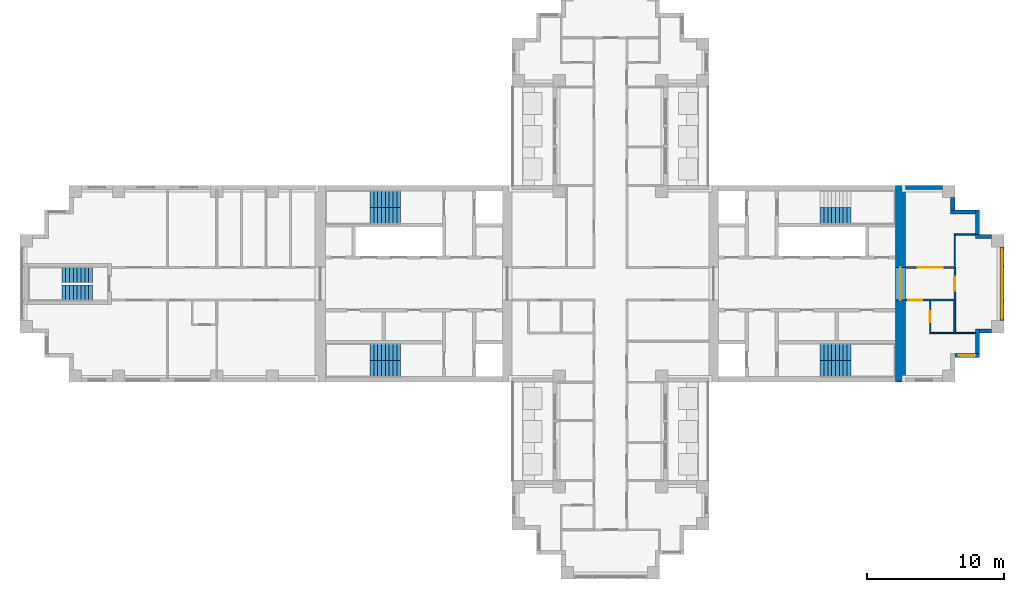
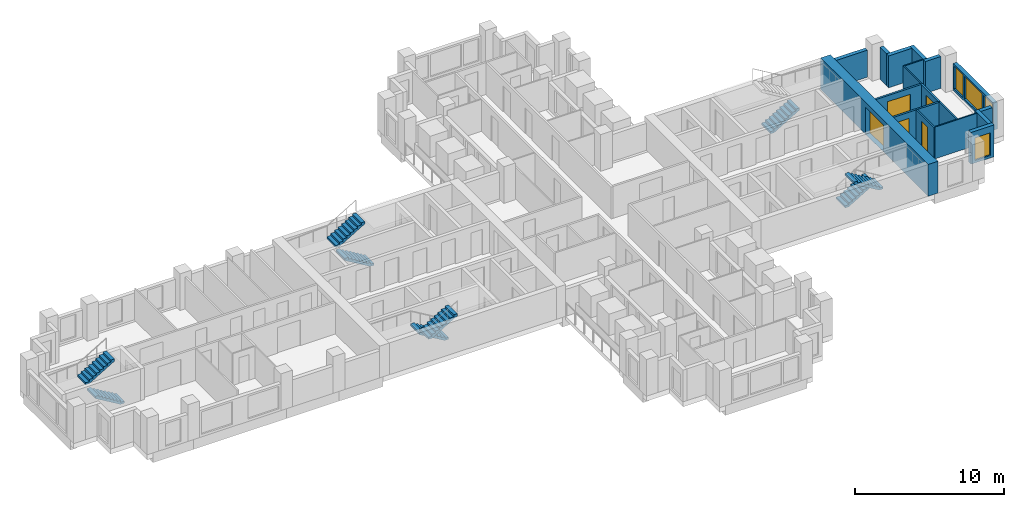
# One storey, part 8 of 11: 18 walls, 9 stair flights, 5 doors, 4 windows, 9 openings, 5 elements without a shape of their own.
"""IFC4 building model written with IfcOpenShell, lengths in metres."""

from ifc_helpers import new_model, si_unit, direction, frame, frame_2d, origin, place, context, subcontext, project, spatial, polyline, rectangle, outline, extrude, material, layer, layer_set, type_object, element, fill, aggregate, save


model = new_model("IFC4")

# Units and contexts
model_context = context("Model", 3, precision=1e-05, world=origin(), true_north=direction((0.0, 1.0)))
body_context = subcontext(model_context, "Body", "Model", "MODEL_VIEW")
ifc_project = project(units=[si_unit("LENGTHUNIT", "METRE"), si_unit("AREAUNIT", "SQUARE_METRE"), si_unit("VOLUMEUNIT", "CUBIC_METRE"), si_unit("PLANEANGLEUNIT", "RADIAN"), si_unit("MASSUNIT", "GRAM", prefix="KILO")], contexts=[model_context])

# Site, building, storey
site_placement = place(None, origin())
site = spatial("IfcSite", under=ifc_project, at=site_placement, CompositionType="ELEMENT")
building_placement = place(site_placement, origin())
building = spatial("IfcBuilding", under=site, at=building_placement, Name="Fustian Cross Tower", CompositionType="ELEMENT")
storey_placement = place(building_placement, frame((0.0, 0.0, 176.699951171875)))
storey = spatial("IfcBuildingStorey", under=building, at=storey_placement, Name="L55", CompositionType="ELEMENT", Elevation=176.699951171875)

# Wall, opening, door
ifc_material_1 = material(Name="Plasterboard on steel stud", Category="steel")
ifc_layer_1 = layer(ifc_material_1, 0.14990234375)
ifc_layer_set_1 = layer_set([ifc_layer_1], Name="Plasterboard on steel stud")
wall_type_1 = type_object("IfcWallType", Name="COMPARTMENT WALL 150 EI 60", PredefinedType="PARTITIONING", material=ifc_layer_set_1)
wall_1_placement = place(storey_placement, frame((21.60009765625, -1.199951171875, 0.0), z_axis=(0.0, 0.0, 1.0), x_axis=(1.0, 0.0, 0.0)))
wall_1 = element("IfcWall", 1, at=wall_1_placement, inside=storey, type_object=wall_type_1, Name="Partition 50", PredefinedType="PARTITIONING", context=body_context, shape_type="SweptSolid", body=[
    extrude(rectangle(XDim=3.52490234375, YDim=0.14990234375, at=frame_2d((1.762451171875, 0.0))), origin(), (0.0, 0.0, 1.0), 2.60009765625),
])
opening_1_placement = place(wall_1_placement, frame((0.199951171875, 0.0, 0.0)))
opening_1 = element("IfcOpeningElement", 2, at=opening_1_placement, cuts=wall_1, Name="Opening D25012", PredefinedType="OPENING", context=body_context, shape_type="SweptSolid", body=[
    extrude(rectangle(XDim=1.0, YDim=2.10009765625, at=frame_2d((0.5, 1.050048828125))), frame((0.0, 0.0849609375, 0.0), z_axis=(0.0, -1.0, 0.0), x_axis=(1.0, 0.0, 0.0)), (0.0, 0.0, 1.0), 0.169921875),
])
ifc_material_2 = material(Name="Timber fire door set", Category="wood")
door_type_1 = type_object("IfcDoorType", Name="FIRE SWING DOOR 1000 FD30S", OperationType="SINGLE_SWING_LEFT", PredefinedType="DOOR", material=ifc_material_2)
door_1_placement = place(opening_1_placement, frame((1.0, 0.0, 0.0), z_axis=(0.0, 0.0, 1.0), x_axis=(-1.0, 0.0, 0.0)))
door_1 = element("IfcDoor", 3, at=door_1_placement, inside=storey, type_object=door_type_1, Name="Door D25012", OperationType="SINGLE_SWING_RIGHT", OverallHeight=2.10009765625, OverallWidth=1.0, PredefinedType="DOOR", context=body_context, shape_type="SweptSolid", body=[
    extrude(rectangle(XDim=1.0, YDim=2.10009765625, at=frame_2d((0.5, 1.050048828125))), frame((0.0, 0.02490234375, 0.0), z_axis=(0.0, -1.0, 0.0), x_axis=(1.0, 0.0, 0.0)), (0.0, 0.0, 1.0), 0.050048828125),
])
fill(opening_1, door_1)

wall_2_placement = place(storey_placement, frame((21.60009765625, 1.199951171875, 0.0), z_axis=(0.0, 0.0, 1.0), x_axis=(1.0, 0.0, 0.0)))
wall_2 = element("IfcWall", 4, at=wall_2_placement, inside=storey, type_object=wall_type_1, Name="Partition 51", PredefinedType="PARTITIONING", context=body_context, shape_type="SweptSolid", body=[
    extrude(rectangle(XDim=3.52490234375, YDim=0.14990234375, at=frame_2d((1.762451171875, 0.0))), origin(), (0.0, 0.0, 1.0), 2.60009765625),
])
opening_2_placement = place(wall_2_placement, frame((0.89990234375, 0.0, 0.0)))
opening_2 = element("IfcOpeningElement", 5, at=opening_2_placement, cuts=wall_2, Name="Opening D25010", PredefinedType="OPENING", context=body_context, shape_type="SweptSolid", body=[
    extrude(rectangle(XDim=1.800048828125, YDim=2.10009765625, at=frame_2d((0.89990234375, 1.050048828125))), frame((0.0, 0.0849609375, 0.0), z_axis=(0.0, -1.0, 0.0), x_axis=(1.0, 0.0, 0.0)), (0.0, 0.0, 1.0), 0.169921875),
])
ifc_material_3 = material(Name="Timber fire door set", Category="wood")
door_type_2 = type_object("IfcDoorType", Name="FIRE DOUBLE DOOR 1800 FD30S", OperationType="DOUBLE_DOOR_DOUBLE_SWING", PredefinedType="DOOR", material=ifc_material_3)
door_2_placement = place(opening_2_placement, frame((1.800048828125, 0.0, 0.0), z_axis=(0.0, 0.0, 1.0), x_axis=(-1.0, 0.0, 0.0)))
door_2 = element("IfcDoor", 6, at=door_2_placement, inside=storey, type_object=door_type_2, Name="Door D25010", OperationType="DOUBLE_DOOR_DOUBLE_SWING", OverallHeight=2.10009765625, OverallWidth=1.800048828125, PredefinedType="DOOR", context=body_context, shape_type="SweptSolid", body=[
    extrude(rectangle(XDim=1.800048828125, YDim=2.10009765625, at=frame_2d((0.89990234375, 1.050048828125))), frame((0.0, 0.02490234375, 0.0), z_axis=(0.0, -1.0, 0.0), x_axis=(1.0, 0.0, 0.0)), (0.0, 0.0, 1.0), 0.050048828125),
])
fill(opening_2, door_2)

wall_3_placement = place(storey_placement, frame((25.199951171875, -1.199951171875, 0.0), z_axis=(0.0, 0.0, 1.0), x_axis=(0.0, 1.0, 0.0)))
wall_3 = element("IfcWall", 7, at=wall_3_placement, inside=storey, type_object=wall_type_1, Name="Partition 55", PredefinedType="PARTITIONING", context=body_context, shape_type="SweptSolid", body=[
    extrude(rectangle(XDim=2.39990234375, YDim=0.14990234375, at=frame_2d((1.199951171875, 0.0))), origin(), (0.0, 0.0, 1.0), 2.60009765625),
])
opening_3_placement = place(wall_3_placement, frame((0.699951171875, 0.0, 0.0)))
opening_3 = element("IfcOpeningElement", 8, at=opening_3_placement, cuts=wall_3, Name="Opening D25009", PredefinedType="OPENING", context=body_context, shape_type="SweptSolid", body=[
    extrude(rectangle(XDim=1.0, YDim=2.10009765625, at=frame_2d((0.5, 1.050048828125))), frame((0.0, 0.0849609375, 0.0), z_axis=(0.0, -1.0, 0.0), x_axis=(1.0, 0.0, 0.0)), (0.0, 0.0, 1.0), 0.169921875),
])
door_3_placement = place(opening_3_placement, frame((1.0, 0.0, 0.0), z_axis=(0.0, 0.0, 1.0), x_axis=(-1.0, 0.0, 0.0)))
door_3 = element("IfcDoor", 9, at=door_3_placement, inside=storey, type_object=door_type_1, Name="Door D25009", OperationType="SINGLE_SWING_RIGHT", OverallHeight=2.10009765625, OverallWidth=1.0, PredefinedType="DOOR", context=body_context, shape_type="SweptSolid", body=[
    extrude(rectangle(XDim=1.0, YDim=2.10009765625, at=frame_2d((0.5, 1.050048828125))), frame((0.0, 0.02490234375, 0.0), z_axis=(0.0, -1.0, 0.0), x_axis=(1.0, 0.0, 0.0)), (0.0, 0.0, 1.0), 0.050048828125),
])
fill(opening_3, door_3)

ifc_material_4 = material(Name="Concrete C50/60", Category="concrete")
ifc_layer_2 = layer(ifc_material_4, 0.75)
ifc_layer_set_2 = layer_set([ifc_layer_2], Name="Concrete C50/60")
wall_type_2 = type_object("IfcWallType", Name="CORE END WALL 750 C50/60", PredefinedType="SHEAR", material=ifc_layer_set_2)
wall_4_placement = place(storey_placement, frame((21.22509765625, -7.199951171875, 0.0), z_axis=(0.0, 0.0, 1.0), x_axis=(0.0, 1.0, 0.0)))
wall_4 = element("IfcWall", 10, at=wall_4_placement, inside=storey, type_object=wall_type_2, Name="Core end wall", PredefinedType="SHEAR", context=body_context, shape_type="SweptSolid", body=[
    extrude(rectangle(XDim=14.39990234375, YDim=0.75, at=frame_2d((7.199951171875, 0.0))), origin(), (0.0, 0.0, 1.0), 2.60009765625),
])
opening_4_placement = place(wall_4_placement, frame((6.0, 0.0, 0.0)))
opening_4 = element("IfcOpeningElement", 11, at=opening_4_placement, cuts=wall_4, Name="Opening CD-22-13", PredefinedType="OPENING", context=body_context, shape_type="SweptSolid", body=[
    extrude(rectangle(XDim=2.39990234375, YDim=2.199951171875, at=frame_2d((1.199951171875, 1.10009765625))), frame((0.0, 0.385009765625, 0.0), z_axis=(0.0, -1.0, 0.0), x_axis=(1.0, 0.0, 0.0)), (0.0, 0.0, 1.0), 0.77001953125),
])
ifc_material_5 = material(Name="Steel", Category="steel")
door_type_3 = type_object("IfcDoorType", Name="FIRE DOOR FD30S DOUBLE 2400X2200", OperationType="DOUBLE_DOOR_DOUBLE_SWING", PredefinedType="DOOR", material=ifc_material_5)
door_4_placement = place(opening_4_placement, origin())
door_4 = element("IfcDoor", 12, at=door_4_placement, inside=storey, type_object=door_type_3, Name="Core door CD-22-13", OperationType="DOUBLE_DOOR_DOUBLE_SWING", OverallHeight=2.199951171875, OverallWidth=2.39990234375, PredefinedType="DOOR", context=body_context, shape_type="SweptSolid", body=[
    extrude(rectangle(XDim=2.39990234375, YDim=2.199951171875, at=frame_2d((1.199951171875, 1.10009765625))), frame((0.0, 0.02490234375, 0.0), z_axis=(0.0, -1.0, 0.0), x_axis=(1.0, 0.0, 0.0)), (0.0, 0.0, 1.0), 0.050048828125),
])
fill(opening_4, door_4)

ifc_material_6 = material(Name="Plasterboard on steel stud", Category="steel")
ifc_layer_3 = layer(ifc_material_6, 0.10009765625)
ifc_layer_set_3 = layer_set([ifc_layer_3], Name="Plasterboard on steel stud")
wall_type_3 = type_object("IfcWallType", Name="PARTITION 100 STUD", PredefinedType="PARTITIONING", material=ifc_layer_set_3)
wall_5_placement = place(storey_placement, frame((23.39990234375, -3.64990234375, 0.0), z_axis=(0.0, 0.0, 1.0), x_axis=(0.0, 1.0, 0.0)))
wall_5 = element("IfcWall", 13, at=wall_5_placement, inside=storey, type_object=wall_type_3, Name="Partition 52", PredefinedType="PARTITIONING", context=body_context, shape_type="SweptSolid", body=[
    extrude(rectangle(XDim=2.375, YDim=0.10009765625, at=frame_2d((1.1875, 0.0))), origin(), (0.0, 0.0, 1.0), 2.60009765625),
])
opening_5_placement = place(wall_5_placement, frame((0.85009765625, 0.0, 0.0)))
opening_5 = element("IfcOpeningElement", 14, at=opening_5_placement, cuts=wall_5, Name="Opening D25011", PredefinedType="OPENING", context=body_context, shape_type="SweptSolid", body=[
    extrude(rectangle(XDim=0.800048828125, YDim=2.10009765625, at=frame_2d((0.39990234375, 1.050048828125))), frame((0.0, 0.06005859375, 0.0), z_axis=(0.0, -1.0, 0.0), x_axis=(1.0, 0.0, 0.0)), (0.0, 0.0, 1.0), 0.1201171875),
])
ifc_material_7 = material(Name="Painted timber", Category="wood")
door_type_4 = type_object("IfcDoorType", Name="SWING DOOR 800", OperationType="SINGLE_SWING_LEFT", PredefinedType="DOOR", material=ifc_material_7)
door_5_placement = place(opening_5_placement, frame((0.800048828125, 0.0, 0.0), z_axis=(0.0, 0.0, 1.0), x_axis=(-1.0, 0.0, 0.0)))
door_5 = element("IfcDoor", 15, at=door_5_placement, inside=storey, type_object=door_type_4, Name="Door D25011", OperationType="SINGLE_SWING_RIGHT", OverallHeight=2.10009765625, OverallWidth=0.800048828125, PredefinedType="DOOR", context=body_context, shape_type="SweptSolid", body=[
    extrude(rectangle(XDim=0.800048828125, YDim=2.10009765625, at=frame_2d((0.39990234375, 1.050048828125))), frame((0.0, 0.02490234375, 0.0), z_axis=(0.0, -1.0, 0.0), x_axis=(1.0, 0.0, 0.0)), (0.0, 0.0, 1.0), 0.050048828125),
])
fill(opening_5, door_5)

# Walls
wall_6_placement = place(storey_placement, frame((23.449951171875, -3.60009765625, 0.0), z_axis=(0.0, 0.0, 1.0), x_axis=(1.0, 0.0, 0.0)))
element("IfcWall", 16, at=wall_6_placement, inside=storey, type_object=wall_type_3, Name="Partition 53", PredefinedType="PARTITIONING", context=body_context, shape_type="SweptSolid", body=[
    extrude(rectangle(XDim=3.25, YDim=0.10009765625, at=frame_2d((1.625, 0.0))), origin(), (0.0, 0.0, 1.0), 2.60009765625),
])
wall_7_placement = place(storey_placement, frame((25.199951171875, 1.199951171875, 0.0), z_axis=(0.0, 0.0, 1.0), x_axis=(0.0, 1.0, 0.0)))
element("IfcWall", 17, at=wall_7_placement, inside=storey, type_object=wall_type_3, Name="Partition 56", PredefinedType="PARTITIONING", context=body_context, shape_type="SweptSolid", body=[
    extrude(rectangle(XDim=2.449951171875, YDim=0.10009765625, at=frame_2d((1.22509765625, 0.0))), origin(), (0.0, 0.0, 1.0), 2.60009765625),
])
wall_8_placement = place(storey_placement, frame((25.25, 3.60009765625, 0.0), z_axis=(0.0, 0.0, 1.0), x_axis=(1.0, 0.0, 0.0)))
element("IfcWall", 18, at=wall_8_placement, inside=storey, type_object=wall_type_3, Name="Partition 57", PredefinedType="PARTITIONING", context=body_context, shape_type="SweptSolid", body=[
    extrude(rectangle(XDim=1.449951171875, YDim=0.10009765625, at=frame_2d((0.72509765625, 0.0))), origin(), (0.0, 0.0, 1.0), 2.60009765625),
])
ifc_material_8 = material(Name="Plasterboard on steel stud", Category="steel")
ifc_layer_4 = layer(ifc_material_8, 0.125)
ifc_layer_set_4 = layer_set([ifc_layer_4], Name="Plasterboard on steel stud")
wall_type_4 = type_object("IfcWallType", Name="WET WALL 125 STUD", PredefinedType="PARTITIONING", material=ifc_layer_set_4)
wall_9_placement = place(storey_placement, frame((25.199951171875, -3.550048828125, 0.0), z_axis=(0.0, 0.0, 1.0), x_axis=(0.0, 1.0, 0.0)))
element("IfcWall", 19, at=wall_9_placement, inside=storey, type_object=wall_type_4, Name="Partition 54", PredefinedType="PARTITIONING", context=body_context, shape_type="SweptSolid", body=[
    extrude(rectangle(XDim=2.35009765625, YDim=0.125, at=frame_2d((1.175048828125, 0.0))), origin(), (0.0, 0.0, 1.0), 2.60009765625),
])

# Wall, opening, window
ifc_material_9 = material(Name="Dark aluminium cladding on insulated backing wall", Category="aluminium")
ifc_layer_5 = layer(ifc_material_9, 0.300048828125)
ifc_layer_set_5 = layer_set([ifc_layer_5], Name="Dark aluminium cladding on insulated backing wall")
wall_type_5 = type_object("IfcWallType", Name="XW1 EXTERNAL WALL 300", PredefinedType="SOLIDWALL", material=ifc_layer_set_5)
wall_10_placement = place(storey_placement, frame((25.199951171875, -5.25, 0.0), z_axis=(0.0, 0.0, 1.0), x_axis=(1.0, 0.0, 0.0)))
wall_10 = element("IfcWall", 20, at=wall_10_placement, inside=storey, type_object=wall_type_5, Name="External wall", PredefinedType="SOLIDWALL", context=body_context, shape_type="SweptSolid", body=[
    extrude(rectangle(XDim=1.800048828125, YDim=0.300048828125, at=frame_2d((0.89990234375, 0.0))), origin(), (0.0, 0.0, 1.0), 2.60009765625),
])
opening_6_placement = place(wall_10_placement, frame((0.300048828125, 0.0, 0.199951171875)))
opening_6 = element("IfcOpeningElement", 21, at=opening_6_placement, cuts=wall_10, Name="Opening WN3", PredefinedType="OPENING", context=body_context, shape_type="SweptSolid", body=[
    extrude(rectangle(XDim=1.199951171875, YDim=1.85009765625, at=frame_2d((0.60009765625, 0.925048828125))), frame((0.0, 0.159912109375, 0.0), z_axis=(0.0, -1.0, 0.0), x_axis=(1.0, 0.0, 0.0)), (0.0, 0.0, 1.0), 0.320068359375),
])
ifc_material_10 = material(Name="Dark anodised aluminium and double glazing", Category="aluminium")
window_type_1 = type_object("IfcWindowType", Name="WN3 WINDOW 1200X1850", PartitioningType="SINGLE_PANEL", PredefinedType="WINDOW", material=ifc_material_10)
window_1_placement = place(opening_6_placement, origin())
window_1 = element("IfcWindow", 22, at=window_1_placement, inside=storey, type_object=window_type_1, Name="Window", OverallHeight=1.85009765625, OverallWidth=1.199951171875, PartitioningType="SINGLE_PANEL", PredefinedType="WINDOW", context=body_context, shape_type="SweptSolid", body=[
    extrude(rectangle(XDim=1.199951171875, YDim=1.85009765625, at=frame_2d((0.60009765625, 0.925048828125))), frame((0.0, 0.030029296875, 0.0), z_axis=(0.0, -1.0, 0.0), x_axis=(1.0, 0.0, 0.0)), (0.0, 0.0, 1.0), 0.06005859375),
])
fill(opening_6, window_1)

# Walls
wall_11_placement = place(storey_placement, frame((26.85009765625, -5.10009765625, 0.0), z_axis=(0.0, 0.0, 1.0), x_axis=(0.0, 1.0, 0.0)))
element("IfcWall", 23, at=wall_11_placement, inside=storey, type_object=wall_type_5, Name="External wall", PredefinedType="SOLIDWALL", context=body_context, shape_type="SweptSolid", body=[
    extrude(rectangle(XDim=1.800048828125, YDim=0.300048828125, at=frame_2d((0.89990234375, 0.0))), origin(), (0.0, 0.0, 1.0), 2.60009765625),
])
wall_12_placement = place(storey_placement, frame((27.0, -3.449951171875, 0.0), z_axis=(0.0, 0.0, 1.0), x_axis=(1.0, 0.0, 0.0)))
element("IfcWall", 24, at=wall_12_placement, inside=storey, type_object=wall_type_5, Name="External wall", PredefinedType="SOLIDWALL", context=body_context, shape_type="SweptSolid", body=[
    extrude(rectangle(XDim=0.89990234375, YDim=0.300048828125, at=frame_2d((0.449951171875, 0.0))), origin(), (0.0, 0.0, 1.0), 2.60009765625),
])

# Wall, openings, windows
wall_13_placement = place(storey_placement, frame((28.64990234375, -2.699951171875, 0.0), z_axis=(0.0, 0.0, 1.0), x_axis=(0.0, 1.0, 0.0)))
wall_13 = element("IfcWall", 25, at=wall_13_placement, inside=storey, type_object=wall_type_5, Name="External wall", PredefinedType="SOLIDWALL", context=body_context, shape_type="SweptSolid", body=[
    extrude(rectangle(XDim=5.39990234375, YDim=0.300048828125, at=frame_2d((2.699951171875, 0.0))), origin(), (0.0, 0.0, 1.0), 2.199951171875),
])
opening_7_placement = place(wall_13_placement, frame((1.5, 0.0, 0.199951171875)))
opening_7 = element("IfcOpeningElement", 26, at=opening_7_placement, cuts=wall_13, Name="Opening WN1", PredefinedType="OPENING", context=body_context, shape_type="SweptSolid", body=[
    extrude(rectangle(XDim=2.39990234375, YDim=1.85009765625, at=frame_2d((1.199951171875, 0.925048828125))), frame((0.0, 0.159912109375, 0.0), z_axis=(0.0, -1.0, 0.0), x_axis=(1.0, 0.0, 0.0)), (0.0, 0.0, 1.0), 0.320068359375),
])
opening_8_placement = place(wall_13_placement, frame((0.14990234375, 0.0, 0.199951171875)))
opening_8 = element("IfcOpeningElement", 27, at=opening_8_placement, cuts=wall_13, Name="Opening WN3", PredefinedType="OPENING", context=body_context, shape_type="SweptSolid", body=[
    extrude(rectangle(XDim=1.199951171875, YDim=1.85009765625, at=frame_2d((0.60009765625, 0.925048828125))), frame((0.0, 0.159912109375, 0.0), z_axis=(0.0, -1.0, 0.0), x_axis=(1.0, 0.0, 0.0)), (0.0, 0.0, 1.0), 0.320068359375),
])
opening_9_placement = place(wall_13_placement, frame((4.050048828125, 0.0, 0.199951171875)))
opening_9 = element("IfcOpeningElement", 28, at=opening_9_placement, cuts=wall_13, Name="Opening WN3", PredefinedType="OPENING", context=body_context, shape_type="SweptSolid", body=[
    extrude(rectangle(XDim=1.199951171875, YDim=1.85009765625, at=frame_2d((0.60009765625, 0.925048828125))), frame((0.0, 0.159912109375, 0.0), z_axis=(0.0, -1.0, 0.0), x_axis=(1.0, 0.0, 0.0)), (0.0, 0.0, 1.0), 0.320068359375),
])
ifc_material_11 = material(Name="Dark anodised aluminium and double glazing", Category="aluminium")
window_type_2 = type_object("IfcWindowType", Name="WN1 WINDOW 2400X1850", PartitioningType="SINGLE_PANEL", PredefinedType="WINDOW", material=ifc_material_11)
window_2_placement = place(opening_7_placement, origin())
window_2 = element("IfcWindow", 29, at=window_2_placement, inside=storey, type_object=window_type_2, Name="Window", OverallHeight=1.85009765625, OverallWidth=2.39990234375, PartitioningType="SINGLE_PANEL", PredefinedType="WINDOW", context=body_context, shape_type="SweptSolid", body=[
    extrude(rectangle(XDim=2.39990234375, YDim=1.85009765625, at=frame_2d((1.199951171875, 0.925048828125))), frame((0.0, 0.030029296875, 0.0), z_axis=(0.0, -1.0, 0.0), x_axis=(1.0, 0.0, 0.0)), (0.0, 0.0, 1.0), 0.06005859375),
])
fill(opening_7, window_2)
window_3_placement = place(opening_8_placement, origin())
window_3 = element("IfcWindow", 30, at=window_3_placement, inside=storey, type_object=window_type_1, Name="Window", OverallHeight=1.85009765625, OverallWidth=1.199951171875, PartitioningType="SINGLE_PANEL", PredefinedType="WINDOW", context=body_context, shape_type="SweptSolid", body=[
    extrude(rectangle(XDim=1.199951171875, YDim=1.85009765625, at=frame_2d((0.60009765625, 0.925048828125))), frame((0.0, 0.030029296875, 0.0), z_axis=(0.0, -1.0, 0.0), x_axis=(1.0, 0.0, 0.0)), (0.0, 0.0, 1.0), 0.06005859375),
])
fill(opening_8, window_3)
window_4_placement = place(opening_9_placement, origin())
window_4 = element("IfcWindow", 31, at=window_4_placement, inside=storey, type_object=window_type_1, Name="Window", OverallHeight=1.85009765625, OverallWidth=1.199951171875, PartitioningType="SINGLE_PANEL", PredefinedType="WINDOW", context=body_context, shape_type="SweptSolid", body=[
    extrude(rectangle(XDim=1.199951171875, YDim=1.85009765625, at=frame_2d((0.60009765625, 0.925048828125))), frame((0.0, 0.030029296875, 0.0), z_axis=(0.0, -1.0, 0.0), x_axis=(1.0, 0.0, 0.0)), (0.0, 0.0, 1.0), 0.06005859375),
])
fill(opening_9, window_4)

# Walls
wall_14_placement = place(storey_placement, frame((27.89990234375, 3.449951171875, 0.0), z_axis=(0.0, 0.0, 1.0), x_axis=(-1.0, 0.0, 0.0)))
element("IfcWall", 32, at=wall_14_placement, inside=storey, type_object=wall_type_5, Name="External wall", PredefinedType="SOLIDWALL", context=body_context, shape_type="SweptSolid", body=[
    extrude(rectangle(XDim=1.199951171875, YDim=0.300048828125, at=frame_2d((0.60009765625, 0.0))), origin(), (0.0, 0.0, 1.0), 2.60009765625),
])
wall_15_placement = place(storey_placement, frame((26.85009765625, 3.60009765625, 0.0), z_axis=(0.0, 0.0, 1.0), x_axis=(0.0, 1.0, 0.0)))
element("IfcWall", 33, at=wall_15_placement, inside=storey, type_object=wall_type_5, Name="External wall", PredefinedType="SOLIDWALL", context=body_context, shape_type="SweptSolid", body=[
    extrude(rectangle(XDim=1.7998046875, YDim=0.300048828125, at=frame_2d((0.89990234375, 0.0))), origin(), (0.0, 0.0, 1.0), 2.60009765625),
])
wall_16_placement = place(storey_placement, frame((26.699951171875, 5.25, 0.0), z_axis=(0.0, 0.0, 1.0), x_axis=(-1.0, 0.0, 0.0)))
element("IfcWall", 34, at=wall_16_placement, inside=storey, type_object=wall_type_5, Name="External wall", PredefinedType="SOLIDWALL", context=body_context, shape_type="SweptSolid", body=[
    extrude(rectangle(XDim=1.800048828125, YDim=0.300048828125, at=frame_2d((0.89990234375, 0.0))), origin(), (0.0, 0.0, 1.0), 2.60009765625),
])
wall_17_placement = place(storey_placement, frame((25.050048828125, 5.39990234375, 0.0), z_axis=(0.0, 0.0, 1.0), x_axis=(0.0, 1.0, 0.0)))
element("IfcWall", 35, at=wall_17_placement, inside=storey, type_object=wall_type_5, Name="External wall", PredefinedType="SOLIDWALL", context=body_context, shape_type="SweptSolid", body=[
    extrude(rectangle(XDim=0.900146484375, YDim=0.300048828125, at=frame_2d((0.4501953125, 0.0))), origin(), (0.0, 0.0, 1.0), 2.60009765625),
])
wall_18_placement = place(storey_placement, frame((24.300048828125, 7.050048828125, 0.0), z_axis=(0.0, 0.0, 1.0), x_axis=(-1.0, 0.0, 0.0)))
element("IfcWall", 36, at=wall_18_placement, inside=storey, type_object=wall_type_5, Name="External wall", PredefinedType="SOLIDWALL", context=body_context, shape_type="SweptSolid", body=[
    extrude(rectangle(XDim=2.699951171875, YDim=0.300048828125, at=frame_2d((1.35009765625, 0.0))), origin(), (0.0, 0.0, 1.0), 2.199951171875),
])

# Stair, stair flights
ifc_material_12 = material(Name="Concrete C50/60", Category="concrete")
stair_type_1 = type_object("IfcStairType", Name="STAIR 1100 HALF TURN", PredefinedType="HALF_TURN_STAIR", material=ifc_material_12)
stair_1_placement = place(storey_placement, origin())
stair_1 = element("IfcStair", 37, at=stair_1_placement, inside=storey, type_object=stair_type_1, Name="Stair ST9", PredefinedType="HALF_TURN_STAIR")
ifc_material_13 = material(Name="Concrete C50/60", Category="concrete")
stair_flight_type_1 = type_object("IfcStairFlightType", Name="STAIR FLIGHT 1100", PredefinedType="STRAIGHT", material=ifc_material_13)
stair_flight_1_placement = place(storey_placement, frame((-37.89990234375, -0.64990234375, 0.0), z_axis=(0.0, 0.0, 1.0), x_axis=(-1.0, 0.0, 0.0)))
stair_flight_1 = element("IfcStairFlight", 38, at=stair_flight_1_placement, type_object=stair_flight_type_1, Name="ST9 flight 1", NumberOfRisers=9, NumberOfTreads=8, PredefinedType="STRAIGHT", RiserHeight=0.166666667, TreadLength=0.28, context=body_context, shape_type="SweptSolid", body=[
    extrude(outline(polyline([(0.0, 0.0), (0.0, 0.166748046875), (0.280029296875, 0.166748046875), (0.280029296875, 0.333251953125), (0.56005859375, 0.333251953125), (0.56005859375, 0.5), (0.840087890625, 0.5), (0.840087890625, 0.666748046875), (1.1201171875, 0.666748046875), (1.1201171875, 0.833251953125), (1.39990234375, 0.833251953125), (1.39990234375, 1.0), (1.679931640625, 1.0), (1.679931640625, 1.166748046875), (1.9599609375, 1.166748046875), (1.9599609375, 1.333251953125), (2.239990234375, 1.333251953125), (2.239990234375, 1.5), (2.239990234375, 1.158935546875), (0.29296875, 0.0), (0.0, 0.0)])), frame((0.0, 0.550048828125, 0.0), z_axis=(0.0, -1.0, 0.0), x_axis=(1.0, 0.0, 0.0)), (0.0, 0.0, 1.0), 1.10009765625),
])
stair_flight_2_placement = place(storey_placement, frame((-40.139892578125, 0.64990234375, 1.5), z_axis=(0.0, 0.0, 1.0), x_axis=(1.0, 0.0, 0.0)))
stair_flight_2 = element("IfcStairFlight", 39, at=stair_flight_2_placement, type_object=stair_flight_type_1, Name="ST9 flight 2", NumberOfRisers=9, NumberOfTreads=8, PredefinedType="STRAIGHT", RiserHeight=0.166666667, TreadLength=0.28, context=body_context, shape_type="SweptSolid", body=[
    extrude(outline(polyline([(0.0, 0.0), (0.0, 0.166748046875), (0.280029296875, 0.166748046875), (0.280029296875, 0.333251953125), (0.56005859375, 0.333251953125), (0.56005859375, 0.5), (0.840087890625, 0.5), (0.840087890625, 0.666748046875), (1.1201171875, 0.666748046875), (1.1201171875, 0.833251953125), (1.39990234375, 0.833251953125), (1.39990234375, 1.0), (1.679931640625, 1.0), (1.679931640625, 1.166748046875), (1.9599609375, 1.166748046875), (1.9599609375, 1.333251953125), (2.239990234375, 1.333251953125), (2.239990234375, 1.5), (2.239990234375, 1.158935546875), (0.29296875, 0.0), (0.0, 0.0)])), frame((0.0, 0.550048828125, 0.0), z_axis=(0.0, -1.0, 0.0), x_axis=(1.0, 0.0, 0.0)), (0.0, 0.0, 1.0), 1.10009765625),
])
aggregate(stair_1, [stair_flight_1, stair_flight_2])

# Stair, stair flight
ifc_material_14 = material(Name="Concrete C50/60", Category="concrete")
stair_type_2 = type_object("IfcStairType", Name="STAIR 1200 HALF TURN", PredefinedType="HALF_TURN_STAIR", material=ifc_material_14)
stair_2_placement = place(storey_placement, origin())
stair_2 = element("IfcStair", 40, at=stair_2_placement, inside=storey, type_object=stair_type_2, Name="Stair ST1", PredefinedType="HALF_TURN_STAIR")
ifc_material_15 = material(Name="Concrete C50/60", Category="concrete")
stair_flight_type_2 = type_object("IfcStairFlightType", Name="STAIR FLIGHT 1200", PredefinedType="STRAIGHT", material=ifc_material_15)
stair_flight_3_placement = place(storey_placement, frame((15.35009765625, 5.0, 0.0), z_axis=(0.0, 0.0, 1.0), x_axis=(1.0, 0.0, 0.0)))
stair_flight_3 = element("IfcStairFlight", 41, at=stair_flight_3_placement, type_object=stair_flight_type_2, Name="ST1 flight 1", NumberOfRisers=9, NumberOfTreads=8, PredefinedType="STRAIGHT", RiserHeight=0.166666667, TreadLength=0.28, context=body_context, shape_type="SweptSolid", body=[
    extrude(outline(polyline([(0.0, 0.0), (0.0, 0.166748046875), (0.280029296875, 0.166748046875), (0.280029296875, 0.333251953125), (0.56005859375, 0.333251953125), (0.56005859375, 0.5), (0.840087890625, 0.5), (0.840087890625, 0.666748046875), (1.1201171875, 0.666748046875), (1.1201171875, 0.833251953125), (1.39990234375, 0.833251953125), (1.39990234375, 1.0), (1.679931640625, 1.0), (1.679931640625, 1.166748046875), (1.9599609375, 1.166748046875), (1.9599609375, 1.333251953125), (2.239990234375, 1.333251953125), (2.239990234375, 1.5), (2.239990234375, 1.158935546875), (0.29296875, 0.0), (0.0, 0.0)])), frame((0.0, 0.60009765625, 0.0), z_axis=(0.0, -1.0, 0.0), x_axis=(1.0, 0.0, 0.0)), (0.0, 0.0, 1.0), 1.199951171875),
])
aggregate(stair_2, [stair_flight_3])

# Stair, stair flights
stair_3_placement = place(storey_placement, origin())
stair_3 = element("IfcStair", 42, at=stair_3_placement, inside=storey, type_object=stair_type_2, Name="Stair ST2", PredefinedType="HALF_TURN_STAIR")
stair_flight_4_placement = place(storey_placement, frame((15.35009765625, -5.0, 0.0), z_axis=(0.0, 0.0, 1.0), x_axis=(1.0, 0.0, 0.0)))
stair_flight_4 = element("IfcStairFlight", 43, at=stair_flight_4_placement, type_object=stair_flight_type_2, Name="ST2 flight 1", NumberOfRisers=9, NumberOfTreads=8, PredefinedType="STRAIGHT", RiserHeight=0.166666667, TreadLength=0.28, context=body_context, shape_type="SweptSolid", body=[
    extrude(outline(polyline([(0.0, 0.0), (0.0, 0.166748046875), (0.280029296875, 0.166748046875), (0.280029296875, 0.333251953125), (0.56005859375, 0.333251953125), (0.56005859375, 0.5), (0.840087890625, 0.5), (0.840087890625, 0.666748046875), (1.1201171875, 0.666748046875), (1.1201171875, 0.833251953125), (1.39990234375, 0.833251953125), (1.39990234375, 1.0), (1.679931640625, 1.0), (1.679931640625, 1.166748046875), (1.9599609375, 1.166748046875), (1.9599609375, 1.333251953125), (2.239990234375, 1.333251953125), (2.239990234375, 1.5), (2.239990234375, 1.158935546875), (0.29296875, 0.0), (0.0, 0.0)])), frame((0.0, 0.60009765625, 0.0), z_axis=(0.0, -1.0, 0.0), x_axis=(1.0, 0.0, 0.0)), (0.0, 0.0, 1.0), 1.199951171875),
])
stair_flight_5_placement = place(storey_placement, frame((17.590087890625, -6.199951171875, 1.5), z_axis=(0.0, 0.0, 1.0), x_axis=(-1.0, 0.0, 0.0)))
stair_flight_5 = element("IfcStairFlight", 44, at=stair_flight_5_placement, type_object=stair_flight_type_2, Name="ST2 flight 2", NumberOfRisers=9, NumberOfTreads=8, PredefinedType="STRAIGHT", RiserHeight=0.166666667, TreadLength=0.28, context=body_context, shape_type="SweptSolid", body=[
    extrude(outline(polyline([(0.0, 0.0), (0.0, 0.166748046875), (0.280029296875, 0.166748046875), (0.280029296875, 0.333251953125), (0.56005859375, 0.333251953125), (0.56005859375, 0.5), (0.840087890625, 0.5), (0.840087890625, 0.666748046875), (1.1201171875, 0.666748046875), (1.1201171875, 0.833251953125), (1.39990234375, 0.833251953125), (1.39990234375, 1.0), (1.679931640625, 1.0), (1.679931640625, 1.166748046875), (1.9599609375, 1.166748046875), (1.9599609375, 1.333251953125), (2.239990234375, 1.333251953125), (2.239990234375, 1.5), (2.239990234375, 1.158935546875), (0.29296875, 0.0), (0.0, 0.0)])), frame((0.0, 0.60009765625, 0.0), z_axis=(0.0, -1.0, 0.0), x_axis=(1.0, 0.0, 0.0)), (0.0, 0.0, 1.0), 1.199951171875),
])
aggregate(stair_3, [stair_flight_4, stair_flight_5])

stair_4_placement = place(storey_placement, origin())
stair_4 = element("IfcStair", 45, at=stair_4_placement, inside=storey, type_object=stair_type_2, Name="Stair ST3", PredefinedType="HALF_TURN_STAIR")
stair_flight_6_placement = place(storey_placement, frame((-15.35009765625, 5.0, 0.0), z_axis=(0.0, 0.0, 1.0), x_axis=(-1.0, 0.0, 0.0)))
stair_flight_6 = element("IfcStairFlight", 46, at=stair_flight_6_placement, type_object=stair_flight_type_2, Name="ST3 flight 1", NumberOfRisers=9, NumberOfTreads=8, PredefinedType="STRAIGHT", RiserHeight=0.166666667, TreadLength=0.28, context=body_context, shape_type="SweptSolid", body=[
    extrude(outline(polyline([(0.0, 0.0), (0.0, 0.166748046875), (0.280029296875, 0.166748046875), (0.280029296875, 0.333251953125), (0.56005859375, 0.333251953125), (0.56005859375, 0.5), (0.840087890625, 0.5), (0.840087890625, 0.666748046875), (1.1201171875, 0.666748046875), (1.1201171875, 0.833251953125), (1.39990234375, 0.833251953125), (1.39990234375, 1.0), (1.679931640625, 1.0), (1.679931640625, 1.166748046875), (1.9599609375, 1.166748046875), (1.9599609375, 1.333251953125), (2.239990234375, 1.333251953125), (2.239990234375, 1.5), (2.239990234375, 1.158935546875), (0.29296875, 0.0), (0.0, 0.0)])), frame((0.0, 0.60009765625, 0.0), z_axis=(0.0, -1.0, 0.0), x_axis=(1.0, 0.0, 0.0)), (0.0, 0.0, 1.0), 1.199951171875),
])
stair_flight_7_placement = place(storey_placement, frame((-17.590087890625, 6.199951171875, 1.5), z_axis=(0.0, 0.0, 1.0), x_axis=(1.0, 0.0, 0.0)))
stair_flight_7 = element("IfcStairFlight", 47, at=stair_flight_7_placement, type_object=stair_flight_type_2, Name="ST3 flight 2", NumberOfRisers=9, NumberOfTreads=8, PredefinedType="STRAIGHT", RiserHeight=0.166666667, TreadLength=0.28, context=body_context, shape_type="SweptSolid", body=[
    extrude(outline(polyline([(0.0, 0.0), (0.0, 0.166748046875), (0.280029296875, 0.166748046875), (0.280029296875, 0.333251953125), (0.56005859375, 0.333251953125), (0.56005859375, 0.5), (0.840087890625, 0.5), (0.840087890625, 0.666748046875), (1.1201171875, 0.666748046875), (1.1201171875, 0.833251953125), (1.39990234375, 0.833251953125), (1.39990234375, 1.0), (1.679931640625, 1.0), (1.679931640625, 1.166748046875), (1.9599609375, 1.166748046875), (1.9599609375, 1.333251953125), (2.239990234375, 1.333251953125), (2.239990234375, 1.5), (2.239990234375, 1.158935546875), (0.29296875, 0.0), (0.0, 0.0)])), frame((0.0, 0.60009765625, 0.0), z_axis=(0.0, -1.0, 0.0), x_axis=(1.0, 0.0, 0.0)), (0.0, 0.0, 1.0), 1.199951171875),
])
aggregate(stair_4, [stair_flight_6, stair_flight_7])

stair_5_placement = place(storey_placement, origin())
stair_5 = element("IfcStair", 48, at=stair_5_placement, inside=storey, type_object=stair_type_2, Name="Stair ST4", PredefinedType="HALF_TURN_STAIR")
stair_flight_8_placement = place(storey_placement, frame((-15.35009765625, -5.0, 0.0), z_axis=(0.0, 0.0, 1.0), x_axis=(-1.0, 0.0, 0.0)))
stair_flight_8 = element("IfcStairFlight", 49, at=stair_flight_8_placement, type_object=stair_flight_type_2, Name="ST4 flight 1", NumberOfRisers=9, NumberOfTreads=8, PredefinedType="STRAIGHT", RiserHeight=0.166666667, TreadLength=0.28, context=body_context, shape_type="SweptSolid", body=[
    extrude(outline(polyline([(0.0, 0.0), (0.0, 0.166748046875), (0.280029296875, 0.166748046875), (0.280029296875, 0.333251953125), (0.56005859375, 0.333251953125), (0.56005859375, 0.5), (0.840087890625, 0.5), (0.840087890625, 0.666748046875), (1.1201171875, 0.666748046875), (1.1201171875, 0.833251953125), (1.39990234375, 0.833251953125), (1.39990234375, 1.0), (1.679931640625, 1.0), (1.679931640625, 1.166748046875), (1.9599609375, 1.166748046875), (1.9599609375, 1.333251953125), (2.239990234375, 1.333251953125), (2.239990234375, 1.5), (2.239990234375, 1.158935546875), (0.29296875, 0.0), (0.0, 0.0)])), frame((0.0, 0.60009765625, 0.0), z_axis=(0.0, -1.0, 0.0), x_axis=(1.0, 0.0, 0.0)), (0.0, 0.0, 1.0), 1.199951171875),
])
stair_flight_9_placement = place(storey_placement, frame((-17.590087890625, -6.199951171875, 1.5), z_axis=(0.0, 0.0, 1.0), x_axis=(1.0, 0.0, 0.0)))
stair_flight_9 = element("IfcStairFlight", 50, at=stair_flight_9_placement, type_object=stair_flight_type_2, Name="ST4 flight 2", NumberOfRisers=9, NumberOfTreads=8, PredefinedType="STRAIGHT", RiserHeight=0.166666667, TreadLength=0.28, context=body_context, shape_type="SweptSolid", body=[
    extrude(outline(polyline([(0.0, 0.0), (0.0, 0.166748046875), (0.280029296875, 0.166748046875), (0.280029296875, 0.333251953125), (0.56005859375, 0.333251953125), (0.56005859375, 0.5), (0.840087890625, 0.5), (0.840087890625, 0.666748046875), (1.1201171875, 0.666748046875), (1.1201171875, 0.833251953125), (1.39990234375, 0.833251953125), (1.39990234375, 1.0), (1.679931640625, 1.0), (1.679931640625, 1.166748046875), (1.9599609375, 1.166748046875), (1.9599609375, 1.333251953125), (2.239990234375, 1.333251953125), (2.239990234375, 1.5), (2.239990234375, 1.158935546875), (0.29296875, 0.0), (0.0, 0.0)])), frame((0.0, 0.60009765625, 0.0), z_axis=(0.0, -1.0, 0.0), x_axis=(1.0, 0.0, 0.0)), (0.0, 0.0, 1.0), 1.199951171875),
])
aggregate(stair_5, [stair_flight_8, stair_flight_9])

save(model, "model.ifc")
